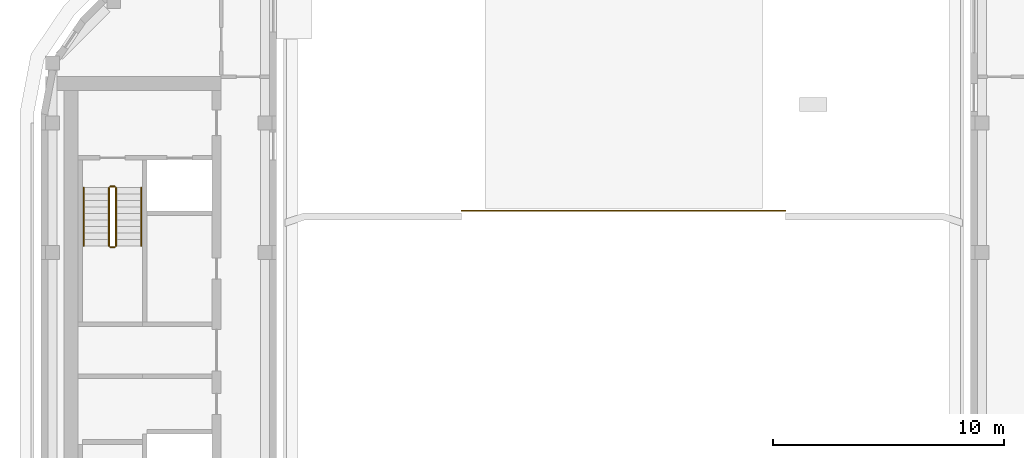
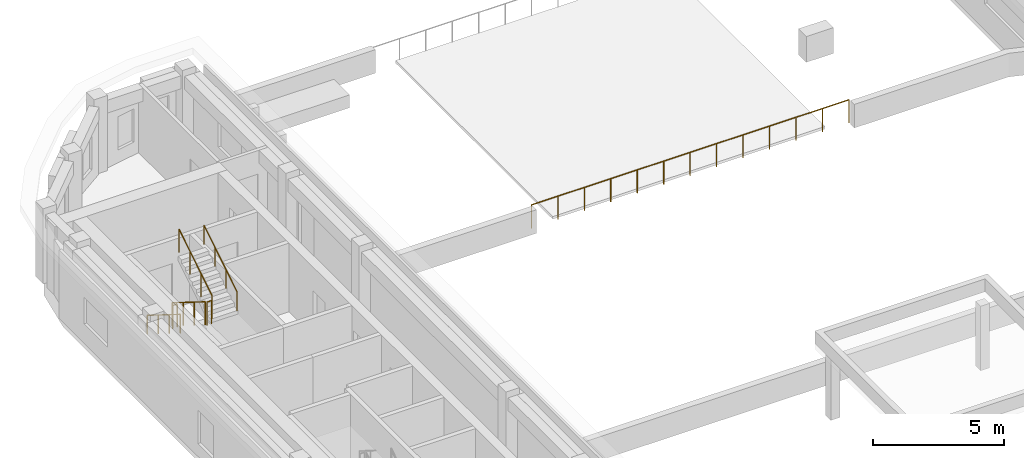
# One storey, part 8 of 14: 7 railings.
"""IFC4 building model written with IfcOpenShell, lengths in metres."""

from ifc_helpers import new_model, si_unit, direction, frame, origin, origin_2d, place, context, subcontext, project, spatial, circle, extrude, material, type_object, element, save


model = new_model("IFC4")

# Units and contexts
model_context = context("Model", 3, precision=1e-05, world=origin(), true_north=direction((0.0, 1.0)))
body_context = subcontext(model_context, "Body", "Model", "MODEL_VIEW")
ifc_project = project(units=[si_unit("LENGTHUNIT", "METRE"), si_unit("AREAUNIT", "SQUARE_METRE"), si_unit("VOLUMEUNIT", "CUBIC_METRE"), si_unit("PLANEANGLEUNIT", "RADIAN"), si_unit("MASSUNIT", "GRAM", prefix="KILO")], contexts=[model_context])

# Site, building, storey
site_placement = place(None, origin())
site = spatial("IfcSite", under=ifc_project, at=site_placement, CompositionType="ELEMENT")
building_placement = place(site_placement, origin())
building = spatial("IfcBuilding", under=site, at=building_placement, Name="Kiln Ring Residences", CompositionType="ELEMENT")
storey_placement = place(building_placement, frame((0.0, 0.0, 299.89990234375)))
storey = spatial("IfcBuildingStorey", under=building, at=storey_placement, Name="L77 Crown", CompositionType="ELEMENT", Elevation=299.89990234375)

# Railings
ifc_material_1 = material(Name="Stainless steel", Category="steel")
railing_type_1 = type_object("IfcRailingType", Name="CORE-STAIR-GUARD", PredefinedType="GUARDRAIL", material=ifc_material_1)
railing_1_placement = place(storey_placement, frame((-22.25, 8.39990234375, 0.175048828125)))
element("IfcRailing", 1, at=railing_1_placement, inside=storey, type_object=railing_type_1, Name="L77 Crown W-STN stair guard 1", PredefinedType="GUARDRAIL", context=body_context, shape_type="SweptSolid", body=[
    extrude(circle(Radius=0.02392578125, at=origin_2d()), frame((0.0, 0.0, 1.076171875), z_axis=(0.0, -0.848007534815, 0.529984170421), x_axis=(1.0, 0.0, 0.0)), (0.0, 0.0, 1.0), 2.9716796875),
    extrude(circle(Radius=0.02099609375, at=origin_2d()), origin(), (0.0, 0.0, 1.0), 1.052001953125),
    extrude(circle(Radius=0.02099609375, at=origin_2d()), frame((0.0, -0.840087890625, 0.52490234375)), (0.0, 0.0, 1.0), 1.052001953125),
    extrude(circle(Radius=0.02099609375, at=origin_2d()), frame((0.0, -1.679931640625, 1.050048828125)), (0.0, 0.0, 1.0), 1.052001953125),
    extrude(circle(Radius=0.02099609375, at=origin_2d()), frame((0.0, -2.52001953125, 1.574951171875)), (0.0, 0.0, 1.0), 1.052001953125),
])
railing_2_placement = place(storey_placement, frame((-22.199951171875, 5.830078125, 1.75)))
element("IfcRailing", 2, at=railing_2_placement, inside=storey, type_object=railing_type_1, Name="L77 Crown W-STN stair guard 2", PredefinedType="GUARDRAIL", context=body_context, shape_type="SweptSolid", body=[
    extrude(circle(Radius=0.02392578125, at=origin_2d()), frame((0.0, 0.0, 1.076171875), z_axis=(1.0, 0.0, 0.0), x_axis=(0.0, 1.0, 0.0)), (0.0, 0.0, 1.0), 0.199951171875),
    extrude(circle(Radius=0.02099609375, at=origin_2d()), origin(), (0.0, 0.0, 1.0), 1.052001953125),
    extrude(circle(Radius=0.02099609375, at=origin_2d()), frame((0.199951171875, 0.0, 0.0)), (0.0, 0.0, 1.0), 1.052001953125),
])
railing_3_placement = place(storey_placement, frame((-21.949951171875, 5.8798828125, 1.925048828125)))
element("IfcRailing", 3, at=railing_3_placement, inside=storey, type_object=railing_type_1, Name="L77 Crown W-STN stair guard 3", PredefinedType="GUARDRAIL", context=body_context, shape_type="SweptSolid", body=[
    extrude(circle(Radius=0.02392578125, at=origin_2d()), frame((0.0, 0.0, 1.076171875), z_axis=(0.0, 0.848007534815, 0.529984170421), x_axis=(-1.0, 0.0, 0.0)), (0.0, 0.0, 1.0), 2.9716796875),
    extrude(circle(Radius=0.02099609375, at=origin_2d()), origin(), (0.0, 0.0, 1.0), 1.052001953125),
    extrude(circle(Radius=0.02099609375, at=origin_2d()), frame((0.0, 0.840087890625, 0.52490234375)), (0.0, 0.0, 1.0), 1.052001953125),
    extrude(circle(Radius=0.02099609375, at=origin_2d()), frame((0.0, 1.679931640625, 1.050048828125)), (0.0, 0.0, 1.0), 1.052001953125),
    extrude(circle(Radius=0.02099609375, at=origin_2d()), frame((0.0, 2.52001953125, 1.574951171875)), (0.0, 0.0, 1.0), 1.052001953125),
])
railing_4_placement = place(storey_placement, frame((-22.199951171875, 8.449951171875, 0.0)))
element("IfcRailing", 4, at=railing_4_placement, inside=storey, type_object=railing_type_1, Name="L77 Crown W-STN stair guard 4", PredefinedType="GUARDRAIL", context=body_context, shape_type="SweptSolid", body=[
    extrude(circle(Radius=0.02392578125, at=origin_2d()), frame((0.0, 0.0, 1.076171875), z_axis=(1.0, 0.0, 0.0), x_axis=(0.0, 1.0, 0.0)), (0.0, 0.0, 1.0), 0.199951171875),
    extrude(circle(Radius=0.02099609375, at=origin_2d()), origin(), (0.0, 0.0, 1.0), 1.052001953125),
    extrude(circle(Radius=0.02099609375, at=origin_2d()), frame((0.199951171875, 0.0, 0.0)), (0.0, 0.0, 1.0), 1.052001953125),
])
ifc_material_2 = material(Name="Stainless steel", Category="steel")
railing_type_2 = type_object("IfcRailingType", Name="CORE-STAIR-HANDRAIL", PredefinedType="HANDRAIL", material=ifc_material_2)
railing_5_placement = place(storey_placement, frame((-23.35009765625, 8.39990234375, 0.175048828125)))
element("IfcRailing", 5, at=railing_5_placement, inside=storey, type_object=railing_type_2, Name="L77 Crown W-STN stair handrail 1", PredefinedType="HANDRAIL", context=body_context, shape_type="SweptSolid", body=[
    extrude(circle(Radius=0.02392578125, at=origin_2d()), frame((0.0, 0.0, 0.8759765625), z_axis=(0.0, -0.848007534815, 0.529984170421), x_axis=(1.0, 0.0, 0.0)), (0.0, 0.0, 1.0), 2.9716796875),
    extrude(circle(Radius=0.02099609375, at=origin_2d()), origin(), (0.0, 0.0, 1.0), 0.851806640625),
    extrude(circle(Radius=0.02099609375, at=origin_2d()), frame((0.0, -0.840087890625, 0.52490234375)), (0.0, 0.0, 1.0), 0.851806640625),
    extrude(circle(Radius=0.02099609375, at=origin_2d()), frame((0.0, -1.679931640625, 1.050048828125)), (0.0, 0.0, 1.0), 0.851806640625),
    extrude(circle(Radius=0.02099609375, at=origin_2d()), frame((0.0, -2.52001953125, 1.574951171875)), (0.0, 0.0, 1.0), 0.851806640625),
])
railing_6_placement = place(storey_placement, frame((-20.85009765625, 5.8798828125, 1.925048828125)))
element("IfcRailing", 6, at=railing_6_placement, inside=storey, type_object=railing_type_2, Name="L77 Crown W-STN stair handrail 2", PredefinedType="HANDRAIL", context=body_context, shape_type="SweptSolid", body=[
    extrude(circle(Radius=0.02392578125, at=origin_2d()), frame((0.0, 0.0, 0.8759765625), z_axis=(0.0, 0.848007534815, 0.529984170421), x_axis=(-1.0, 0.0, 0.0)), (0.0, 0.0, 1.0), 2.9716796875),
    extrude(circle(Radius=0.02099609375, at=origin_2d()), origin(), (0.0, 0.0, 1.0), 0.851806640625),
    extrude(circle(Radius=0.02099609375, at=origin_2d()), frame((0.0, 0.840087890625, 0.52490234375)), (0.0, 0.0, 1.0), 0.851806640625),
    extrude(circle(Radius=0.02099609375, at=origin_2d()), frame((0.0, 1.679931640625, 1.050048828125)), (0.0, 0.0, 1.0), 0.851806640625),
    extrude(circle(Radius=0.02099609375, at=origin_2d()), frame((0.0, 2.52001953125, 1.574951171875)), (0.0, 0.0, 1.0), 0.851806640625),
])
ifc_material_3 = material(Name="Stainless steel mesh net", Category="steel")
railing_type_3 = type_object("IfcRailingType", Name="HELIPAD SAFETY NET 1100", PredefinedType="GUARDRAIL", material=ifc_material_3)
railing_7_placement = place(storey_placement, frame((-7.0, 7.39990234375, 0.0)))
element("IfcRailing", 7, at=railing_7_placement, inside=storey, type_object=railing_type_3, Name="Helipad perimeter safety net south", PredefinedType="GUARDRAIL", context=body_context, shape_type="SweptSolid", body=[
    extrude(circle(Radius=0.02392578125, at=origin_2d()), frame((0.0, 0.0, 1.076171875), z_axis=(1.0, 0.0, 0.0), x_axis=(0.0, 1.0, 0.0)), (0.0, 0.0, 1.0), 14.0),
    extrude(circle(Radius=0.02099609375, at=origin_2d()), origin(), (0.0, 0.0, 1.0), 1.052001953125),
    extrude(circle(Radius=0.02099609375, at=origin_2d()), frame((1.166748046875, 0.0, 0.0)), (0.0, 0.0, 1.0), 1.052001953125),
    extrude(circle(Radius=0.02099609375, at=origin_2d()), frame((2.333251953125, 0.0, 0.0)), (0.0, 0.0, 1.0), 1.052001953125),
    extrude(circle(Radius=0.02099609375, at=origin_2d()), frame((3.5, 0.0, 0.0)), (0.0, 0.0, 1.0), 1.052001953125),
    extrude(circle(Radius=0.02099609375, at=origin_2d()), frame((4.666748046875, 0.0, 0.0)), (0.0, 0.0, 1.0), 1.052001953125),
    extrude(circle(Radius=0.02099609375, at=origin_2d()), frame((5.833251953125, 0.0, 0.0)), (0.0, 0.0, 1.0), 1.052001953125),
    extrude(circle(Radius=0.02099609375, at=origin_2d()), frame((7.0, 0.0, 0.0)), (0.0, 0.0, 1.0), 1.052001953125),
    extrude(circle(Radius=0.02099609375, at=origin_2d()), frame((8.166748046875, 0.0, 0.0)), (0.0, 0.0, 1.0), 1.052001953125),
    extrude(circle(Radius=0.02099609375, at=origin_2d()), frame((9.333251953125, 0.0, 0.0)), (0.0, 0.0, 1.0), 1.052001953125),
    extrude(circle(Radius=0.02099609375, at=origin_2d()), frame((10.5, 0.0, 0.0)), (0.0, 0.0, 1.0), 1.052001953125),
    extrude(circle(Radius=0.02099609375, at=origin_2d()), frame((11.666748046875, 0.0, 0.0)), (0.0, 0.0, 1.0), 1.052001953125),
    extrude(circle(Radius=0.02099609375, at=origin_2d()), frame((12.833251953125, 0.0, 0.0)), (0.0, 0.0, 1.0), 1.052001953125),
    extrude(circle(Radius=0.02099609375, at=origin_2d()), frame((14.0, 0.0, 0.0)), (0.0, 0.0, 1.0), 1.052001953125),
])

save(model, "model.ifc")
